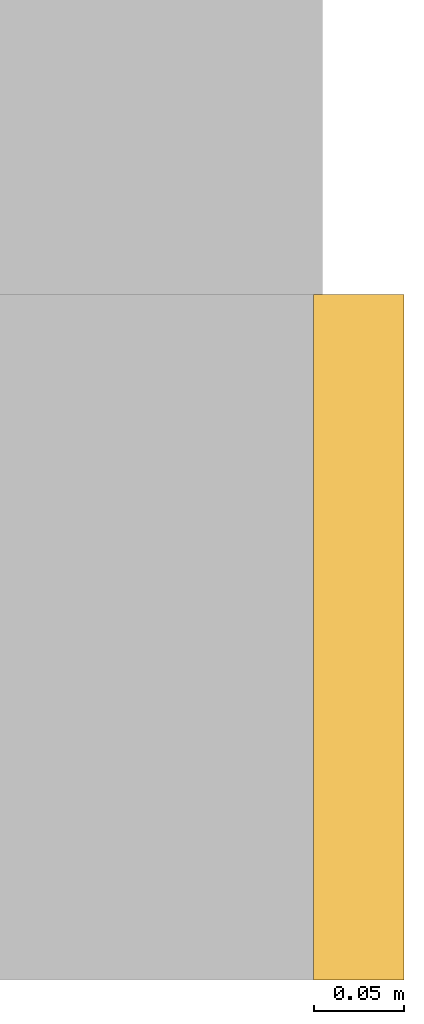
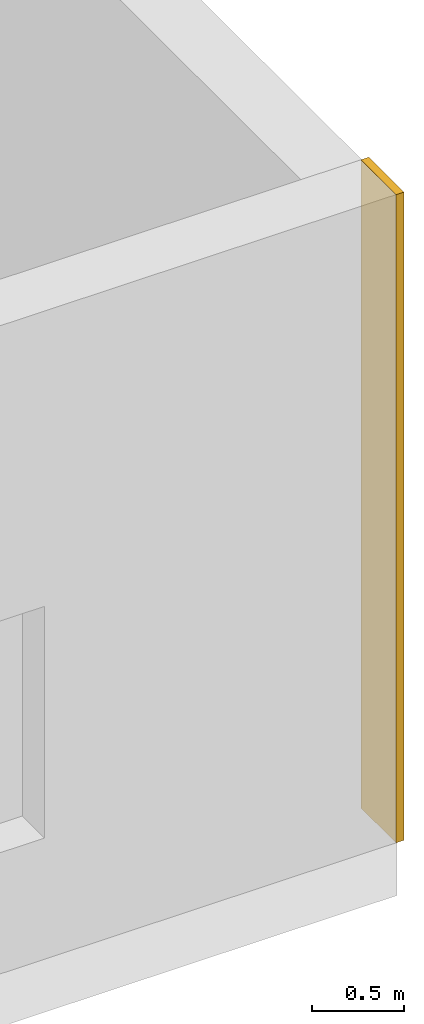
# One storey, part 18 of 19: 1 covering.
"""IFC4 building model written with IfcOpenShell, lengths in metres."""

from ifc_helpers import new_model, si_unit, direction, frame, frame_2d, origin, place, context, subcontext, project, spatial, rectangle, extrude, material, layer, layer_set, type_object, element, save


model = new_model("IFC4")

# Units and contexts
model_context = context("Model", 3, precision=1e-05, world=origin(), true_north=direction((0.0, 1.0)))
body_context = subcontext(model_context, "Body", "Model", "MODEL_VIEW")
ifc_project = project(units=[si_unit("LENGTHUNIT", "METRE"), si_unit("AREAUNIT", "SQUARE_METRE"), si_unit("VOLUMEUNIT", "CUBIC_METRE"), si_unit("PLANEANGLEUNIT", "RADIAN"), si_unit("MASSUNIT", "GRAM", prefix="KILO")], contexts=[model_context])

# Site, building, storey
site_placement = place(None, origin())
site = spatial("IfcSite", under=ifc_project, at=site_placement, CompositionType="ELEMENT")
building_placement = place(site_placement, origin())
building = spatial("IfcBuilding", under=site, at=building_placement, Name="Cairnveth Concourse Tower", CompositionType="ELEMENT")
storey_placement = place(building_placement, frame((0.0, 0.0, 19.0)))
storey = spatial("IfcBuildingStorey", under=building, at=storey_placement, Name="L04", CompositionType="ELEMENT", Elevation=19.0)

# Covering
ifc_material = material(Name="Dressed Melbourne Bluestone Cladding", Category="masonry")
ifc_layer = layer(ifc_material, 0.050048828125)
ifc_layer_set = layer_set([ifc_layer], Name="Dressed Melbourne Bluestone Cladding")
covering_type = type_object("IfcCoveringType", Name="DRESSED BLUESTONE PLINTH CLADDING 50", PredefinedType="CLADDING", material=ifc_layer_set)
covering_placement = place(storey_placement, frame((85.52001953125, 12.3798828125, 0.0), z_axis=(0.0, 0.0, 1.0), x_axis=(0.0, -1.0, 0.0)))
element("IfcCovering", 1, at=covering_placement, inside=storey, type_object=covering_type, Name="Melbourne Bluestone Corner Quoin L04-21", PredefinedType="CLADDING", context=body_context, shape_type="SweptSolid", body=[
    extrude(rectangle(XDim=0.3798828125, YDim=0.050048828125, at=frame_2d((0.18994140625, 0.0))), origin(), (0.0, 0.0, 1.0), 4.280029296875),
])

save(model, "model.ifc")
